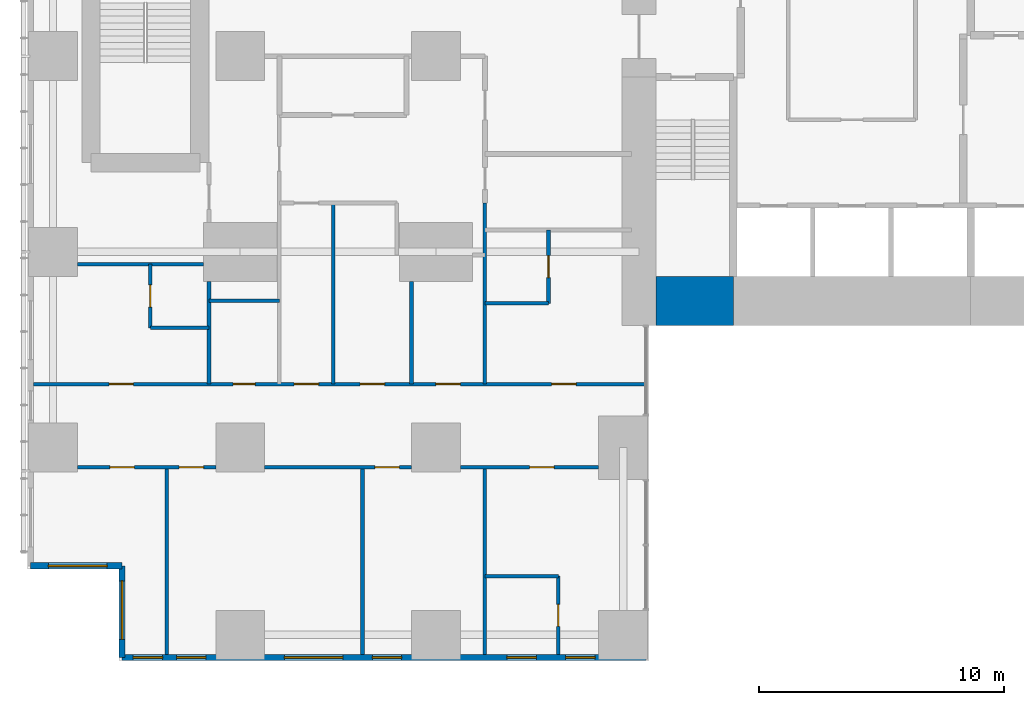
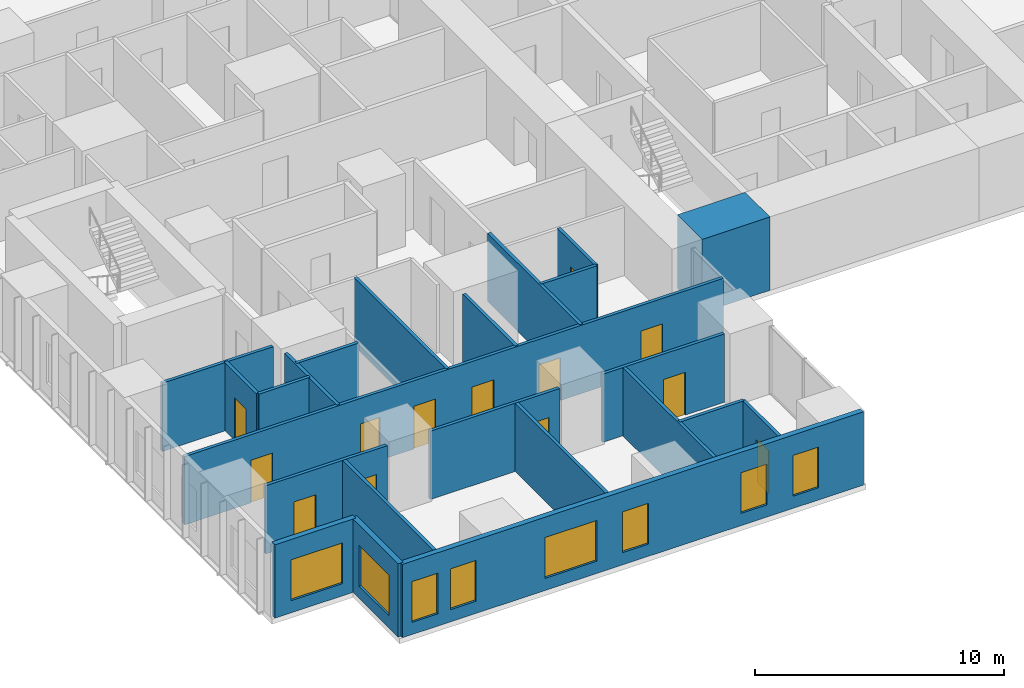
# One storey, part 12 of 20: 23 walls, 13 doors, 8 windows, 21 openings.
"""IFC4 building model written with IfcOpenShell, lengths in metres."""

from ifc_helpers import new_model, si_unit, direction, frame, frame_2d, origin, place, context, subcontext, project, spatial, rectangle, extrude, material, layer, layer_set, type_object, element, fill, save


model = new_model("IFC4")

# Units and contexts
model_context = context("Model", 3, precision=1e-05, world=origin(), true_north=direction((0.0, 1.0)))
body_context = subcontext(model_context, "Body", "Model", "MODEL_VIEW")
ifc_project = project(units=[si_unit("LENGTHUNIT", "METRE"), si_unit("AREAUNIT", "SQUARE_METRE"), si_unit("VOLUMEUNIT", "CUBIC_METRE"), si_unit("PLANEANGLEUNIT", "RADIAN"), si_unit("MASSUNIT", "GRAM", prefix="KILO")], contexts=[model_context])

# Site, building, storey
site_placement = place(None, origin())
site = spatial("IfcSite", under=ifc_project, at=site_placement, CompositionType="ELEMENT")
building_placement = place(site_placement, origin())
building = spatial("IfcBuilding", under=site, at=building_placement, Name="Cleftline Residences", CompositionType="ELEMENT")
storey_placement = place(building_placement, frame((0.0, 0.0, 62.0)))
storey = spatial("IfcBuildingStorey", under=building, at=storey_placement, Name="L15", CompositionType="ELEMENT", Elevation=62.0)

# Wall
ifc_material_1 = material(Name="Concrete B70", Category="concrete")
ifc_layer_1 = layer(ifc_material_1, 2.0)
ifc_layer_set_1 = layer_set([ifc_layer_1], Name="CORE WALL 2000")
wall_type_1 = type_object("IfcWallType", Name="CORE WALL 2000", PredefinedType="SHEAR", material=ifc_layer_set_1)
wall_1_placement = place(storey_placement, frame((25.0, 14.0, 0.0), z_axis=(0.0, 0.0, 1.0), x_axis=(1.0, 0.0, 0.0)))
element("IfcWall", 1, at=wall_1_placement, inside=storey, type_object=wall_type_1, Name="Core wall S1", PredefinedType="SHEAR", context=body_context, shape_type="SweptSolid", body=[
    extrude(rectangle(XDim=3.14990234375, YDim=2.0, at=frame_2d((1.574951171875, 0.0))), origin(), (0.0, 0.0, 1.0), 3.60009765625),
])

# Wall, opening, window
ifc_material_2 = material(Name="Rendered reinforced concrete blockwork", Category="masonry")
ifc_layer_2 = layer(ifc_material_2, 0.25)
ifc_layer_set_2 = layer_set([ifc_layer_2], Name="EXTERNAL WALL 250")
wall_type_2 = type_object("IfcWallType", Name="EXTERNAL WALL 250", PredefinedType="SOLIDWALL", material=ifc_layer_set_2)
wall_2_placement = place(storey_placement, frame((-0.574951171875, 3.175048828125, 0.0), z_axis=(0.0, 0.0, 1.0), x_axis=(1.0, 0.0, 0.0)))
wall_2 = element("IfcWall", 2, at=wall_2_placement, inside=storey, type_object=wall_type_2, Name="External wall", PredefinedType="SOLIDWALL", context=body_context, shape_type="SweptSolid", body=[
    extrude(rectangle(XDim=3.75, YDim=0.25, at=frame_2d((1.875, 0.0))), origin(), (0.0, 0.0, 1.0), 3.60009765625),
])
opening_1_placement = place(wall_2_placement, frame((0.737548828125, 0.0, 0.60009765625)))
opening_1 = element("IfcOpeningElement", 3, at=opening_1_placement, cuts=wall_2, Name="Opening W6", PredefinedType="OPENING", context=body_context, shape_type="SweptSolid", body=[
    extrude(rectangle(XDim=2.39990234375, YDim=2.0, at=frame_2d((1.199951171875, 1.0))), frame((0.0, 0.135009765625, 0.0), z_axis=(0.0, -1.0, 0.0), x_axis=(1.0, 0.0, 0.0)), (0.0, 0.0, 1.0), 0.27001953125),
])
ifc_material_3 = material(Name="Aluminium frame, clear double glazing", Category="aluminium")
window_type_1 = type_object("IfcWindowType", Name="WINDOW 2400X2000", PartitioningType="DOUBLE_PANEL_VERTICAL", PredefinedType="WINDOW", material=ifc_material_3)
window_1_placement = place(opening_1_placement, origin())
window_1 = element("IfcWindow", 4, at=window_1_placement, inside=storey, type_object=window_type_1, Name="Window", OverallHeight=2.0, OverallWidth=2.39990234375, PartitioningType="SINGLE_PANEL", PredefinedType="WINDOW", context=body_context, shape_type="SweptSolid", body=[
    extrude(rectangle(XDim=2.39990234375, YDim=2.0, at=frame_2d((1.199951171875, 1.0))), frame((0.0, 0.030029296875, 0.0), z_axis=(0.0, -1.0, 0.0), x_axis=(1.0, 0.0, 0.0)), (0.0, 0.0, 1.0), 0.06005859375),
])
fill(opening_1, window_1)

wall_3_placement = place(storey_placement, frame((3.175048828125, 3.175048828125, 0.0), z_axis=(0.0, 0.0, 1.0), x_axis=(0.0, -1.0, 0.0)))
wall_3 = element("IfcWall", 5, at=wall_3_placement, inside=storey, type_object=wall_type_2, Name="External wall", PredefinedType="SOLIDWALL", context=body_context, shape_type="SweptSolid", body=[
    extrude(rectangle(XDim=3.75, YDim=0.25, at=frame_2d((1.875, 0.0))), origin(), (0.0, 0.0, 1.0), 3.60009765625),
])
opening_2_placement = place(wall_3_placement, frame((0.612548828125, 0.0, 0.60009765625)))
opening_2 = element("IfcOpeningElement", 6, at=opening_2_placement, cuts=wall_3, Name="Opening W6", PredefinedType="OPENING", context=body_context, shape_type="SweptSolid", body=[
    extrude(rectangle(XDim=2.39990234375, YDim=2.0, at=frame_2d((1.199951171875, 1.0))), frame((0.0, 0.135009765625, 0.0), z_axis=(0.0, -1.0, 0.0), x_axis=(1.0, 0.0, 0.0)), (0.0, 0.0, 1.0), 0.27001953125),
])
window_2_placement = place(opening_2_placement, origin())
window_2 = element("IfcWindow", 7, at=window_2_placement, inside=storey, type_object=window_type_1, Name="Window", OverallHeight=2.0, OverallWidth=2.39990234375, PartitioningType="SINGLE_PANEL", PredefinedType="WINDOW", context=body_context, shape_type="SweptSolid", body=[
    extrude(rectangle(XDim=2.39990234375, YDim=2.0, at=frame_2d((1.199951171875, 1.0))), frame((0.0, 0.030029296875, 0.0), z_axis=(0.0, -1.0, 0.0), x_axis=(1.0, 0.0, 0.0)), (0.0, 0.0, 1.0), 0.06005859375),
])
fill(opening_2, window_2)

# Wall, openings, windows
wall_4_placement = place(storey_placement, frame((3.175048828125, -0.574951171875, 0.0), z_axis=(0.0, 0.0, 1.0), x_axis=(1.0, 0.0, 0.0)))
wall_4 = element("IfcWall", 8, at=wall_4_placement, inside=storey, type_object=wall_type_2, Name="External wall", PredefinedType="SOLIDWALL", context=body_context, shape_type="SweptSolid", body=[
    extrude(rectangle(XDim=21.39990234375, YDim=0.25, at=frame_2d((10.699951171875, 0.0))), origin(), (0.0, 0.0, 1.0), 3.60009765625),
])
opening_3_placement = place(wall_4_placement, frame((0.449951171875, 0.0, 0.60009765625)))
opening_3 = element("IfcOpeningElement", 9, at=opening_3_placement, cuts=wall_4, Name="Opening W8", PredefinedType="OPENING", context=body_context, shape_type="SweptSolid", body=[
    extrude(rectangle(XDim=1.199951171875, YDim=2.0, at=frame_2d((0.60009765625, 1.0))), frame((0.0, 0.135009765625, 0.0), z_axis=(0.0, -1.0, 0.0), x_axis=(1.0, 0.0, 0.0)), (0.0, 0.0, 1.0), 0.27001953125),
])
opening_4_placement = place(wall_4_placement, frame((2.22509765625, 0.0, 0.60009765625)))
opening_4 = element("IfcOpeningElement", 10, at=opening_4_placement, cuts=wall_4, Name="Opening W8", PredefinedType="OPENING", context=body_context, shape_type="SweptSolid", body=[
    extrude(rectangle(XDim=1.199951171875, YDim=2.0, at=frame_2d((0.60009765625, 1.0))), frame((0.0, 0.135009765625, 0.0), z_axis=(0.0, -1.0, 0.0), x_axis=(1.0, 0.0, 0.0)), (0.0, 0.0, 1.0), 0.27001953125),
])
opening_5_placement = place(wall_4_placement, frame((6.625, 0.0, 0.60009765625)))
opening_5 = element("IfcOpeningElement", 11, at=opening_5_placement, cuts=wall_4, Name="Opening W6", PredefinedType="OPENING", context=body_context, shape_type="SweptSolid", body=[
    extrude(rectangle(XDim=2.39990234375, YDim=2.0, at=frame_2d((1.199951171875, 1.0))), frame((0.0, 0.135009765625, 0.0), z_axis=(0.0, -1.0, 0.0), x_axis=(1.0, 0.0, 0.0)), (0.0, 0.0, 1.0), 0.27001953125),
])
opening_6_placement = place(wall_4_placement, frame((10.22509765625, 0.0, 0.60009765625)))
opening_6 = element("IfcOpeningElement", 12, at=opening_6_placement, cuts=wall_4, Name="Opening W8", PredefinedType="OPENING", context=body_context, shape_type="SweptSolid", body=[
    extrude(rectangle(XDim=1.199951171875, YDim=2.0, at=frame_2d((0.60009765625, 1.0))), frame((0.0, 0.135009765625, 0.0), z_axis=(0.0, -1.0, 0.0), x_axis=(1.0, 0.0, 0.0)), (0.0, 0.0, 1.0), 0.27001953125),
])
opening_7_placement = place(wall_4_placement, frame((15.72509765625, 0.0, 0.60009765625)))
opening_7 = element("IfcOpeningElement", 13, at=opening_7_placement, cuts=wall_4, Name="Opening W8", PredefinedType="OPENING", context=body_context, shape_type="SweptSolid", body=[
    extrude(rectangle(XDim=1.199951171875, YDim=2.0, at=frame_2d((0.60009765625, 1.0))), frame((0.0, 0.135009765625, 0.0), z_axis=(0.0, -1.0, 0.0), x_axis=(1.0, 0.0, 0.0)), (0.0, 0.0, 1.0), 0.27001953125),
])
opening_8_placement = place(wall_4_placement, frame((18.125, 0.0, 0.60009765625)))
opening_8 = element("IfcOpeningElement", 14, at=opening_8_placement, cuts=wall_4, Name="Opening W8", PredefinedType="OPENING", context=body_context, shape_type="SweptSolid", body=[
    extrude(rectangle(XDim=1.199951171875, YDim=2.0, at=frame_2d((0.60009765625, 1.0))), frame((0.0, 0.135009765625, 0.0), z_axis=(0.0, -1.0, 0.0), x_axis=(1.0, 0.0, 0.0)), (0.0, 0.0, 1.0), 0.27001953125),
])
ifc_material_4 = material(Name="Aluminium frame, clear double glazing", Category="aluminium")
window_type_2 = type_object("IfcWindowType", Name="WINDOW 1200X2000", PartitioningType="DOUBLE_PANEL_VERTICAL", PredefinedType="WINDOW", material=ifc_material_4)
window_3_placement = place(opening_3_placement, origin())
window_3 = element("IfcWindow", 15, at=window_3_placement, inside=storey, type_object=window_type_2, Name="Window", OverallHeight=2.0, OverallWidth=1.199951171875, PartitioningType="SINGLE_PANEL", PredefinedType="WINDOW", context=body_context, shape_type="SweptSolid", body=[
    extrude(rectangle(XDim=1.199951171875, YDim=2.0, at=frame_2d((0.60009765625, 1.0))), frame((0.0, 0.030029296875, 0.0), z_axis=(0.0, -1.0, 0.0), x_axis=(1.0, 0.0, 0.0)), (0.0, 0.0, 1.0), 0.06005859375),
])
fill(opening_3, window_3)
window_4_placement = place(opening_4_placement, origin())
window_4 = element("IfcWindow", 16, at=window_4_placement, inside=storey, type_object=window_type_2, Name="Window", OverallHeight=2.0, OverallWidth=1.199951171875, PartitioningType="SINGLE_PANEL", PredefinedType="WINDOW", context=body_context, shape_type="SweptSolid", body=[
    extrude(rectangle(XDim=1.199951171875, YDim=2.0, at=frame_2d((0.60009765625, 1.0))), frame((0.0, 0.030029296875, 0.0), z_axis=(0.0, -1.0, 0.0), x_axis=(1.0, 0.0, 0.0)), (0.0, 0.0, 1.0), 0.06005859375),
])
fill(opening_4, window_4)
window_5_placement = place(opening_6_placement, origin())
window_5 = element("IfcWindow", 17, at=window_5_placement, inside=storey, type_object=window_type_2, Name="Window", OverallHeight=2.0, OverallWidth=1.199951171875, PartitioningType="SINGLE_PANEL", PredefinedType="WINDOW", context=body_context, shape_type="SweptSolid", body=[
    extrude(rectangle(XDim=1.199951171875, YDim=2.0, at=frame_2d((0.60009765625, 1.0))), frame((0.0, 0.030029296875, 0.0), z_axis=(0.0, -1.0, 0.0), x_axis=(1.0, 0.0, 0.0)), (0.0, 0.0, 1.0), 0.06005859375),
])
fill(opening_6, window_5)
window_6_placement = place(opening_7_placement, origin())
window_6 = element("IfcWindow", 18, at=window_6_placement, inside=storey, type_object=window_type_2, Name="Window", OverallHeight=2.0, OverallWidth=1.199951171875, PartitioningType="SINGLE_PANEL", PredefinedType="WINDOW", context=body_context, shape_type="SweptSolid", body=[
    extrude(rectangle(XDim=1.199951171875, YDim=2.0, at=frame_2d((0.60009765625, 1.0))), frame((0.0, 0.030029296875, 0.0), z_axis=(0.0, -1.0, 0.0), x_axis=(1.0, 0.0, 0.0)), (0.0, 0.0, 1.0), 0.06005859375),
])
fill(opening_7, window_6)
window_7_placement = place(opening_8_placement, origin())
window_7 = element("IfcWindow", 19, at=window_7_placement, inside=storey, type_object=window_type_2, Name="Window", OverallHeight=2.0, OverallWidth=1.199951171875, PartitioningType="SINGLE_PANEL", PredefinedType="WINDOW", context=body_context, shape_type="SweptSolid", body=[
    extrude(rectangle(XDim=1.199951171875, YDim=2.0, at=frame_2d((0.60009765625, 1.0))), frame((0.0, 0.030029296875, 0.0), z_axis=(0.0, -1.0, 0.0), x_axis=(1.0, 0.0, 0.0)), (0.0, 0.0, 1.0), 0.06005859375),
])
fill(opening_8, window_7)
window_8_placement = place(opening_5_placement, origin())
window_8 = element("IfcWindow", 20, at=window_8_placement, inside=storey, type_object=window_type_1, Name="Window", OverallHeight=2.0, OverallWidth=2.39990234375, PartitioningType="SINGLE_PANEL", PredefinedType="WINDOW", context=body_context, shape_type="SweptSolid", body=[
    extrude(rectangle(XDim=2.39990234375, YDim=2.0, at=frame_2d((1.199951171875, 1.0))), frame((0.0, 0.030029296875, 0.0), z_axis=(0.0, -1.0, 0.0), x_axis=(1.0, 0.0, 0.0)), (0.0, 0.0, 1.0), 0.06005859375),
])
fill(opening_5, window_8)

# Wall
ifc_material_5 = material(Name="Gypsum board on steel studs", Category="steel")
ifc_layer_3 = layer(ifc_material_5, 0.14990234375)
ifc_layer_set_3 = layer_set([ifc_layer_3], Name="PARTITION 150")
wall_type_3 = type_object("IfcWallType", Name="PARTITION 150", PredefinedType="PARTITIONING", material=ifc_layer_set_3)
wall_5_placement = place(storey_placement, frame((18.0, 2.75, 0.0), z_axis=(0.0, 0.0, 1.0), x_axis=(1.0, 0.0, 0.0)))
element("IfcWall", 21, at=wall_5_placement, inside=storey, type_object=wall_type_3, Name="Partition", PredefinedType="PARTITIONING", context=body_context, shape_type="SweptSolid", body=[
    extrude(rectangle(XDim=3.0, YDim=0.14990234375, at=frame_2d((1.5, 0.0))), origin(), (0.0, 0.0, 1.0), 3.35009765625),
])

# Wall, openings, doors
wall_6_placement = place(storey_placement, frame((1.35009765625, 7.199951171875, 0.0), z_axis=(0.0, 0.0, 1.0), x_axis=(1.0, 0.0, 0.0)))
wall_6 = element("IfcWall", 22, at=wall_6_placement, inside=storey, type_object=wall_type_3, Name="Partition", PredefinedType="PARTITIONING", context=body_context, shape_type="SweptSolid", body=[
    extrude(rectangle(XDim=5.64990234375, YDim=0.14990234375, at=frame_2d((2.824951171875, 0.0))), origin(), (0.0, 0.0, 1.0), 3.35009765625),
])
opening_9_placement = place(wall_6_placement, frame((1.324951171875, 0.0, 0.0)))
opening_9 = element("IfcOpeningElement", 23, at=opening_9_placement, cuts=wall_6, Name="Opening D2", PredefinedType="OPENING", context=body_context, shape_type="SweptSolid", body=[
    extrude(rectangle(XDim=1.0, YDim=2.10009765625, at=frame_2d((0.5, 1.050048828125))), frame((0.0, 0.0849609375, 0.0), z_axis=(0.0, -1.0, 0.0), x_axis=(1.0, 0.0, 0.0)), (0.0, 0.0, 1.0), 0.169921875),
])
opening_10_placement = place(wall_6_placement, frame((4.14990234375, 0.0, 0.0)))
opening_10 = element("IfcOpeningElement", 24, at=opening_10_placement, cuts=wall_6, Name="Opening D2", PredefinedType="OPENING", context=body_context, shape_type="SweptSolid", body=[
    extrude(rectangle(XDim=1.0, YDim=2.10009765625, at=frame_2d((0.5, 1.050048828125))), frame((0.0, 0.0849609375, 0.0), z_axis=(0.0, -1.0, 0.0), x_axis=(1.0, 0.0, 0.0)), (0.0, 0.0, 1.0), 0.169921875),
])
ifc_material_6 = material(Name="Timber veneer on solid core", Category="wood")
door_type_1 = type_object("IfcDoorType", Name="DOOR 1000X2100", OperationType="SINGLE_SWING_LEFT", PredefinedType="DOOR", material=ifc_material_6)
door_1_placement = place(opening_9_placement, origin())
door_1 = element("IfcDoor", 25, at=door_1_placement, inside=storey, type_object=door_type_1, Name="Door to winter garden", OperationType="SINGLE_SWING_RIGHT", OverallHeight=2.10009765625, OverallWidth=1.0, PredefinedType="DOOR", context=body_context, shape_type="SweptSolid", body=[
    extrude(rectangle(XDim=1.0, YDim=2.10009765625, at=frame_2d((0.5, 1.050048828125))), frame((0.0, 0.02490234375, 0.0), z_axis=(0.0, -1.0, 0.0), x_axis=(1.0, 0.0, 0.0)), (0.0, 0.0, 1.0), 0.050048828125),
])
fill(opening_9, door_1)
door_2_placement = place(opening_10_placement, origin())
door_2 = element("IfcDoor", 26, at=door_2_placement, inside=storey, type_object=door_type_1, Name="Door to living and dining room", OperationType="SINGLE_SWING_LEFT", OverallHeight=2.10009765625, OverallWidth=1.0, PredefinedType="DOOR", context=body_context, shape_type="SweptSolid", body=[
    extrude(rectangle(XDim=1.0, YDim=2.10009765625, at=frame_2d((0.5, 1.050048828125))), frame((0.0, 0.02490234375, 0.0), z_axis=(0.0, -1.0, 0.0), x_axis=(1.0, 0.0, 0.0)), (0.0, 0.0, 1.0), 0.050048828125),
])
fill(opening_10, door_2)

# Wall, opening, door
wall_7_placement = place(storey_placement, frame((9.0, 7.199951171875, 0.0), z_axis=(0.0, 0.0, 1.0), x_axis=(1.0, 0.0, 0.0)))
wall_7 = element("IfcWall", 27, at=wall_7_placement, inside=storey, type_object=wall_type_3, Name="Partition", PredefinedType="PARTITIONING", context=body_context, shape_type="SweptSolid", body=[
    extrude(rectangle(XDim=6.0, YDim=0.14990234375, at=frame_2d((3.0, 0.0))), origin(), (0.0, 0.0, 1.0), 3.35009765625),
])
opening_11_placement = place(wall_7_placement, frame((4.5, 0.0, 0.0)))
opening_11 = element("IfcOpeningElement", 28, at=opening_11_placement, cuts=wall_7, Name="Opening D2", PredefinedType="OPENING", context=body_context, shape_type="SweptSolid", body=[
    extrude(rectangle(XDim=1.0, YDim=2.10009765625, at=frame_2d((0.5, 1.050048828125))), frame((0.0, 0.0849609375, 0.0), z_axis=(0.0, -1.0, 0.0), x_axis=(1.0, 0.0, 0.0)), (0.0, 0.0, 1.0), 0.169921875),
])
door_3_placement = place(opening_11_placement, origin())
door_3 = element("IfcDoor", 29, at=door_3_placement, inside=storey, type_object=door_type_1, Name="Door to show kitchen", OperationType="SINGLE_SWING_LEFT", OverallHeight=2.10009765625, OverallWidth=1.0, PredefinedType="DOOR", context=body_context, shape_type="SweptSolid", body=[
    extrude(rectangle(XDim=1.0, YDim=2.10009765625, at=frame_2d((0.5, 1.050048828125))), frame((0.0, 0.02490234375, 0.0), z_axis=(0.0, -1.0, 0.0), x_axis=(1.0, 0.0, 0.0)), (0.0, 0.0, 1.0), 0.050048828125),
])
fill(opening_11, door_3)

wall_8_placement = place(storey_placement, frame((17.0, 7.199951171875, 0.0), z_axis=(0.0, 0.0, 1.0), x_axis=(1.0, 0.0, 0.0)))
wall_8 = element("IfcWall", 30, at=wall_8_placement, inside=storey, type_object=wall_type_3, Name="Partition", PredefinedType="PARTITIONING", context=body_context, shape_type="SweptSolid", body=[
    extrude(rectangle(XDim=5.64990234375, YDim=0.14990234375, at=frame_2d((2.824951171875, 0.0))), origin(), (0.0, 0.0, 1.0), 3.35009765625),
])
opening_12_placement = place(wall_8_placement, frame((2.824951171875, 0.0, 0.0)))
opening_12 = element("IfcOpeningElement", 31, at=opening_12_placement, cuts=wall_8, Name="Opening D2", PredefinedType="OPENING", context=body_context, shape_type="SweptSolid", body=[
    extrude(rectangle(XDim=1.0, YDim=2.10009765625, at=frame_2d((0.5, 1.050048828125))), frame((0.0, 0.0849609375, 0.0), z_axis=(0.0, -1.0, 0.0), x_axis=(1.0, 0.0, 0.0)), (0.0, 0.0, 1.0), 0.169921875),
])
door_4_placement = place(opening_12_placement, origin())
door_4 = element("IfcDoor", 32, at=door_4_placement, inside=storey, type_object=door_type_1, Name="Door to master bedroom", OperationType="SINGLE_SWING_LEFT", OverallHeight=2.10009765625, OverallWidth=1.0, PredefinedType="DOOR", context=body_context, shape_type="SweptSolid", body=[
    extrude(rectangle(XDim=1.0, YDim=2.10009765625, at=frame_2d((0.5, 1.050048828125))), frame((0.0, 0.02490234375, 0.0), z_axis=(0.0, -1.0, 0.0), x_axis=(1.0, 0.0, 0.0)), (0.0, 0.0, 1.0), 0.050048828125),
])
fill(opening_12, door_4)

# Wall, openings, doors
wall_9_placement = place(storey_placement, frame((-0.449951171875, 10.60009765625, 0.0), z_axis=(0.0, 0.0, 1.0), x_axis=(1.0, 0.0, 0.0)))
wall_9 = element("IfcWall", 33, at=wall_9_placement, inside=storey, type_object=wall_type_3, Name="Partition", PredefinedType="PARTITIONING", context=body_context, shape_type="SweptSolid", body=[
    extrude(rectangle(XDim=25.010986328125, YDim=0.14990234375, at=frame_2d((12.50537109375, 0.0))), origin(), (0.0, 0.0, 1.0), 3.35009765625),
])
opening_13_placement = place(wall_9_placement, frame((10.64990234375, 0.0, 0.0)))
opening_13 = element("IfcOpeningElement", 34, at=opening_13_placement, cuts=wall_9, Name="Opening D2", PredefinedType="OPENING", context=body_context, shape_type="SweptSolid", body=[
    extrude(rectangle(XDim=1.0, YDim=2.10009765625, at=frame_2d((0.5, 1.050048828125))), frame((0.0, 0.0849609375, 0.0), z_axis=(0.0, -1.0, 0.0), x_axis=(1.0, 0.0, 0.0)), (0.0, 0.0, 1.0), 0.169921875),
])
opening_14_placement = place(wall_9_placement, frame((3.08740234375, 0.0, 0.0)))
opening_14 = element("IfcOpeningElement", 35, at=opening_14_placement, cuts=wall_9, Name="Opening D2", PredefinedType="OPENING", context=body_context, shape_type="SweptSolid", body=[
    extrude(rectangle(XDim=1.0, YDim=2.10009765625, at=frame_2d((0.5, 1.050048828125))), frame((0.0, 0.0849609375, 0.0), z_axis=(0.0, -1.0, 0.0), x_axis=(1.0, 0.0, 0.0)), (0.0, 0.0, 1.0), 0.169921875),
])
opening_15_placement = place(wall_9_placement, frame((8.16259765625, 0.0, 0.0)))
opening_15 = element("IfcOpeningElement", 36, at=opening_15_placement, cuts=wall_9, Name="Opening D1", PredefinedType="OPENING", context=body_context, shape_type="SweptSolid", body=[
    extrude(rectangle(XDim=0.89990234375, YDim=2.10009765625, at=frame_2d((0.449951171875, 1.050048828125))), frame((0.0, 0.0849609375, 0.0), z_axis=(0.0, -1.0, 0.0), x_axis=(1.0, 0.0, 0.0)), (0.0, 0.0, 1.0), 0.169921875),
])
opening_16_placement = place(wall_9_placement, frame((13.35009765625, 0.0, 0.0)))
opening_16 = element("IfcOpeningElement", 37, at=opening_16_placement, cuts=wall_9, Name="Opening D2", PredefinedType="OPENING", context=body_context, shape_type="SweptSolid", body=[
    extrude(rectangle(XDim=1.0, YDim=2.10009765625, at=frame_2d((0.5, 1.050048828125))), frame((0.0, 0.0849609375, 0.0), z_axis=(0.0, -1.0, 0.0), x_axis=(1.0, 0.0, 0.0)), (0.0, 0.0, 1.0), 0.169921875),
])
opening_17_placement = place(wall_9_placement, frame((16.449951171875, 0.0, 0.0)))
opening_17 = element("IfcOpeningElement", 38, at=opening_17_placement, cuts=wall_9, Name="Opening D2", PredefinedType="OPENING", context=body_context, shape_type="SweptSolid", body=[
    extrude(rectangle(XDim=1.0, YDim=2.10009765625, at=frame_2d((0.5, 1.050048828125))), frame((0.0, 0.0849609375, 0.0), z_axis=(0.0, -1.0, 0.0), x_axis=(1.0, 0.0, 0.0)), (0.0, 0.0, 1.0), 0.169921875),
])
opening_18_placement = place(wall_9_placement, frame((21.175048828125, 0.0, 0.0)))
opening_18 = element("IfcOpeningElement", 39, at=opening_18_placement, cuts=wall_9, Name="Opening D2", PredefinedType="OPENING", context=body_context, shape_type="SweptSolid", body=[
    extrude(rectangle(XDim=1.0, YDim=2.10009765625, at=frame_2d((0.5, 1.050048828125))), frame((0.0, 0.0849609375, 0.0), z_axis=(0.0, -1.0, 0.0), x_axis=(1.0, 0.0, 0.0)), (0.0, 0.0, 1.0), 0.169921875),
])
door_5_placement = place(opening_13_placement, origin())
door_5 = element("IfcDoor", 40, at=door_5_placement, inside=storey, type_object=door_type_1, Name="Door to residence hall", OperationType="SINGLE_SWING_RIGHT", OverallHeight=2.10009765625, OverallWidth=1.0, PredefinedType="DOOR", context=body_context, shape_type="SweptSolid", body=[
    extrude(rectangle(XDim=1.0, YDim=2.10009765625, at=frame_2d((0.5, 1.050048828125))), frame((0.0, 0.02490234375, 0.0), z_axis=(0.0, -1.0, 0.0), x_axis=(1.0, 0.0, 0.0)), (0.0, 0.0, 1.0), 0.050048828125),
])
fill(opening_13, door_5)
door_6_placement = place(opening_14_placement, origin())
door_6 = element("IfcDoor", 41, at=door_6_placement, inside=storey, type_object=door_type_1, Name="Door to bedroom 2", OperationType="SINGLE_SWING_RIGHT", OverallHeight=2.10009765625, OverallWidth=1.0, PredefinedType="DOOR", context=body_context, shape_type="SweptSolid", body=[
    extrude(rectangle(XDim=1.0, YDim=2.10009765625, at=frame_2d((0.5, 1.050048828125))), frame((0.0, 0.02490234375, 0.0), z_axis=(0.0, -1.0, 0.0), x_axis=(1.0, 0.0, 0.0)), (0.0, 0.0, 1.0), 0.050048828125),
])
fill(opening_14, door_6)
door_7_placement = place(opening_16_placement, origin())
door_7 = element("IfcDoor", 42, at=door_7_placement, inside=storey, type_object=door_type_1, Name="Door to family room", OperationType="SINGLE_SWING_LEFT", OverallHeight=2.10009765625, OverallWidth=1.0, PredefinedType="DOOR", context=body_context, shape_type="SweptSolid", body=[
    extrude(rectangle(XDim=1.0, YDim=2.10009765625, at=frame_2d((0.5, 1.050048828125))), frame((0.0, 0.02490234375, 0.0), z_axis=(0.0, -1.0, 0.0), x_axis=(1.0, 0.0, 0.0)), (0.0, 0.0, 1.0), 0.050048828125),
])
fill(opening_16, door_7)
door_8_placement = place(opening_17_placement, origin())
door_8 = element("IfcDoor", 43, at=door_8_placement, inside=storey, type_object=door_type_1, Name="Door to wet kitchen", OperationType="SINGLE_SWING_LEFT", OverallHeight=2.10009765625, OverallWidth=1.0, PredefinedType="DOOR", context=body_context, shape_type="SweptSolid", body=[
    extrude(rectangle(XDim=1.0, YDim=2.10009765625, at=frame_2d((0.5, 1.050048828125))), frame((0.0, 0.02490234375, 0.0), z_axis=(0.0, -1.0, 0.0), x_axis=(1.0, 0.0, 0.0)), (0.0, 0.0, 1.0), 0.050048828125),
])
fill(opening_17, door_8)
door_9_placement = place(opening_18_placement, origin())
door_9 = element("IfcDoor", 44, at=door_9_placement, inside=storey, type_object=door_type_1, Name="Door to bedroom 3", OperationType="SINGLE_SWING_LEFT", OverallHeight=2.10009765625, OverallWidth=1.0, PredefinedType="DOOR", context=body_context, shape_type="SweptSolid", body=[
    extrude(rectangle(XDim=1.0, YDim=2.10009765625, at=frame_2d((0.5, 1.050048828125))), frame((0.0, 0.02490234375, 0.0), z_axis=(0.0, -1.0, 0.0), x_axis=(1.0, 0.0, 0.0)), (0.0, 0.0, 1.0), 0.050048828125),
])
fill(opening_18, door_9)
ifc_material_7 = material(Name="Timber veneer on solid core", Category="wood")
door_type_2 = type_object("IfcDoorType", Name="DOOR 900X2100", OperationType="SINGLE_SWING_LEFT", PredefinedType="DOOR", material=ifc_material_7)
door_10_placement = place(opening_15_placement, origin())
door_10 = element("IfcDoor", 45, at=door_10_placement, inside=storey, type_object=door_type_2, Name="Door to linen store", OperationType="SINGLE_SWING_RIGHT", OverallHeight=2.10009765625, OverallWidth=0.89990234375, PredefinedType="DOOR", context=body_context, shape_type="SweptSolid", body=[
    extrude(rectangle(XDim=0.89990234375, YDim=2.10009765625, at=frame_2d((0.449951171875, 1.050048828125))), frame((0.0, 0.02490234375, 0.0), z_axis=(0.0, -1.0, 0.0), x_axis=(1.0, 0.0, 0.0)), (0.0, 0.0, 1.0), 0.050048828125),
])
fill(opening_15, door_10)

# Walls
wall_10_placement = place(storey_placement, frame((4.324951171875, 12.89990234375, 0.0), z_axis=(0.0, 0.0, 1.0), x_axis=(1.0, 0.0, 0.0)))
element("IfcWall", 46, at=wall_10_placement, inside=storey, type_object=wall_type_3, Name="Partition", PredefinedType="PARTITIONING", context=body_context, shape_type="SweptSolid", body=[
    extrude(rectangle(XDim=2.400146484375, YDim=0.14990234375, at=frame_2d((1.2001953125, 0.0))), origin(), (0.0, 0.0, 1.0), 3.35009765625),
])
wall_11_placement = place(storey_placement, frame((18.0, 13.89990234375, 0.0), z_axis=(0.0, 0.0, 1.0), x_axis=(1.0, 0.0, 0.0)))
element("IfcWall", 47, at=wall_11_placement, inside=storey, type_object=wall_type_3, Name="Partition", PredefinedType="PARTITIONING", context=body_context, shape_type="SweptSolid", body=[
    extrude(rectangle(XDim=2.60009765625, YDim=0.14990234375, at=frame_2d((1.300048828125, 0.0))), origin(), (0.0, 0.0, 1.0), 3.35009765625),
])
wall_12_placement = place(storey_placement, frame((6.72509765625, 14.0, 0.0), z_axis=(0.0, 0.0, 1.0), x_axis=(1.0, 0.0, 0.0)))
element("IfcWall", 48, at=wall_12_placement, inside=storey, type_object=wall_type_3, Name="Partition", PredefinedType="PARTITIONING", context=body_context, shape_type="SweptSolid", body=[
    extrude(rectangle(XDim=2.875, YDim=0.14990234375, at=frame_2d((1.4375, 0.0))), origin(), (0.0, 0.0, 1.0), 3.35009765625),
])
wall_13_placement = place(storey_placement, frame((1.35009765625, 15.5, 0.0), z_axis=(0.0, 0.0, 1.0), x_axis=(1.0, 0.0, 0.0)))
element("IfcWall", 49, at=wall_13_placement, inside=storey, type_object=wall_type_3, Name="Partition", PredefinedType="PARTITIONING", context=body_context, shape_type="SweptSolid", body=[
    extrude(rectangle(XDim=5.14990234375, YDim=0.14990234375, at=frame_2d((2.574951171875, 0.0))), origin(), (0.0, 0.0, 1.0), 3.35009765625),
])

# Wall, opening, door
wall_14_placement = place(storey_placement, frame((4.324951171875, 12.89990234375, 0.0), z_axis=(0.0, 0.0, 1.0), x_axis=(0.0, 1.0, 0.0)))
wall_14 = element("IfcWall", 50, at=wall_14_placement, inside=storey, type_object=wall_type_3, Name="Partition", PredefinedType="PARTITIONING", context=body_context, shape_type="SweptSolid", body=[
    extrude(rectangle(XDim=2.60009765625, YDim=0.14990234375, at=frame_2d((1.300048828125, 0.0))), origin(), (0.0, 0.0, 1.0), 3.35009765625),
])
opening_19_placement = place(wall_14_placement, frame((0.85009765625, 0.0, 0.0)))
opening_19 = element("IfcOpeningElement", 51, at=opening_19_placement, cuts=wall_14, Name="Opening D1", PredefinedType="OPENING", context=body_context, shape_type="SweptSolid", body=[
    extrude(rectangle(XDim=0.89990234375, YDim=2.10009765625, at=frame_2d((0.449951171875, 1.050048828125))), frame((0.0, 0.0849609375, 0.0), z_axis=(0.0, -1.0, 0.0), x_axis=(1.0, 0.0, 0.0)), (0.0, 0.0, 1.0), 0.169921875),
])
door_11_placement = place(opening_19_placement, origin())
door_11 = element("IfcDoor", 52, at=door_11_placement, inside=storey, type_object=door_type_2, Name="Door to en-suite bathroom 2", OperationType="SINGLE_SWING_LEFT", OverallHeight=2.10009765625, OverallWidth=0.89990234375, PredefinedType="DOOR", context=body_context, shape_type="SweptSolid", body=[
    extrude(rectangle(XDim=0.89990234375, YDim=2.10009765625, at=frame_2d((0.449951171875, 1.050048828125))), frame((0.0, 0.02490234375, 0.0), z_axis=(0.0, -1.0, 0.0), x_axis=(1.0, 0.0, 0.0)), (0.0, 0.0, 1.0), 0.050048828125),
])
fill(opening_19, door_11)

# Walls
wall_15_placement = place(storey_placement, frame((5.0, -0.449951171875, 0.0), z_axis=(0.0, 0.0, 1.0), x_axis=(0.0, 1.0, 0.0)))
element("IfcWall", 53, at=wall_15_placement, inside=storey, type_object=wall_type_3, Name="Partition", PredefinedType="PARTITIONING", context=body_context, shape_type="SweptSolid", body=[
    extrude(rectangle(XDim=7.64990234375, YDim=0.14990234375, at=frame_2d((3.824951171875, 0.0))), origin(), (0.0, 0.0, 1.0), 3.35009765625),
])
wall_16_placement = place(storey_placement, frame((6.72509765625, 10.60009765625, 0.0), z_axis=(0.0, 0.0, 1.0), x_axis=(0.0, 1.0, 0.0)))
element("IfcWall", 54, at=wall_16_placement, inside=storey, type_object=wall_type_3, Name="Partition", PredefinedType="PARTITIONING", context=body_context, shape_type="SweptSolid", body=[
    extrude(rectangle(XDim=4.199951171875, YDim=0.14990234375, at=frame_2d((2.10009765625, 0.0))), origin(), (0.0, 0.0, 1.0), 3.35009765625),
])
wall_17_placement = place(storey_placement, frame((11.800048828125, 10.60009765625, 0.0), z_axis=(0.0, 0.0, 1.0), x_axis=(0.0, 1.0, 0.0)))
element("IfcWall", 55, at=wall_17_placement, inside=storey, type_object=wall_type_3, Name="Partition", PredefinedType="PARTITIONING", context=body_context, shape_type="SweptSolid", body=[
    extrude(rectangle(XDim=7.39990234375, YDim=0.14990234375, at=frame_2d((3.699951171875, 0.0))), origin(), (0.0, 0.0, 1.0), 3.35009765625),
])
wall_18_placement = place(storey_placement, frame((13.0, -0.449951171875, 0.0), z_axis=(0.0, 0.0, 1.0), x_axis=(0.0, 1.0, 0.0)))
element("IfcWall", 56, at=wall_18_placement, inside=storey, type_object=wall_type_3, Name="Partition", PredefinedType="PARTITIONING", context=body_context, shape_type="SweptSolid", body=[
    extrude(rectangle(XDim=7.64990234375, YDim=0.14990234375, at=frame_2d((3.824951171875, 0.0))), origin(), (0.0, 0.0, 1.0), 3.35009765625),
])
wall_19_placement = place(storey_placement, frame((15.0, 10.60009765625, 0.0), z_axis=(0.0, 0.0, 1.0), x_axis=(0.0, 1.0, 0.0)))
element("IfcWall", 57, at=wall_19_placement, inside=storey, type_object=wall_type_3, Name="Partition", PredefinedType="PARTITIONING", context=body_context, shape_type="SweptSolid", body=[
    extrude(rectangle(XDim=4.199951171875, YDim=0.14990234375, at=frame_2d((2.10009765625, 0.0))), origin(), (0.0, 0.0, 1.0), 3.35009765625),
])
wall_20_placement = place(storey_placement, frame((18.0, -0.449951171875, 0.0), z_axis=(0.0, 0.0, 1.0), x_axis=(0.0, 1.0, 0.0)))
element("IfcWall", 58, at=wall_20_placement, inside=storey, type_object=wall_type_3, Name="Partition", PredefinedType="PARTITIONING", context=body_context, shape_type="SweptSolid", body=[
    extrude(rectangle(XDim=7.64990234375, YDim=0.14990234375, at=frame_2d((3.824951171875, 0.0))), origin(), (0.0, 0.0, 1.0), 3.35009765625),
])
wall_21_placement = place(storey_placement, frame((18.0, 10.60009765625, 0.0), z_axis=(0.0, 0.0, 1.0), x_axis=(0.0, 1.0, 0.0)))
element("IfcWall", 59, at=wall_21_placement, inside=storey, type_object=wall_type_3, Name="Partition", PredefinedType="PARTITIONING", context=body_context, shape_type="SweptSolid", body=[
    extrude(rectangle(XDim=7.39990234375, YDim=0.14990234375, at=frame_2d((3.699951171875, 0.0))), origin(), (0.0, 0.0, 1.0), 3.35009765625),
])

# Wall, opening, door
wall_22_placement = place(storey_placement, frame((20.60009765625, 13.89990234375, 0.0), z_axis=(0.0, 0.0, 1.0), x_axis=(0.0, 1.0, 0.0)))
wall_22 = element("IfcWall", 60, at=wall_22_placement, inside=storey, type_object=wall_type_3, Name="Partition", PredefinedType="PARTITIONING", context=body_context, shape_type="SweptSolid", body=[
    extrude(rectangle(XDim=3.0, YDim=0.14990234375, at=frame_2d((1.5, 0.0))), origin(), (0.0, 0.0, 1.0), 3.35009765625),
])
opening_20_placement = place(wall_22_placement, frame((1.050048828125, 0.0, 0.0)))
opening_20 = element("IfcOpeningElement", 61, at=opening_20_placement, cuts=wall_22, Name="Opening D1", PredefinedType="OPENING", context=body_context, shape_type="SweptSolid", body=[
    extrude(rectangle(XDim=0.89990234375, YDim=2.10009765625, at=frame_2d((0.449951171875, 1.050048828125))), frame((0.0, 0.0849609375, 0.0), z_axis=(0.0, -1.0, 0.0), x_axis=(1.0, 0.0, 0.0)), (0.0, 0.0, 1.0), 0.169921875),
])
door_12_placement = place(opening_20_placement, origin())
door_12 = element("IfcDoor", 62, at=door_12_placement, inside=storey, type_object=door_type_2, Name="Door to en-suite bathroom 3", OperationType="SINGLE_SWING_LEFT", OverallHeight=2.10009765625, OverallWidth=0.89990234375, PredefinedType="DOOR", context=body_context, shape_type="SweptSolid", body=[
    extrude(rectangle(XDim=0.89990234375, YDim=2.10009765625, at=frame_2d((0.449951171875, 1.050048828125))), frame((0.0, 0.02490234375, 0.0), z_axis=(0.0, -1.0, 0.0), x_axis=(1.0, 0.0, 0.0)), (0.0, 0.0, 1.0), 0.050048828125),
])
fill(opening_20, door_12)

wall_23_placement = place(storey_placement, frame((21.0, -0.449951171875, 0.0), z_axis=(0.0, 0.0, 1.0), x_axis=(0.0, 1.0, 0.0)))
wall_23 = element("IfcWall", 63, at=wall_23_placement, inside=storey, type_object=wall_type_3, Name="Partition", PredefinedType="PARTITIONING", context=body_context, shape_type="SweptSolid", body=[
    extrude(rectangle(XDim=3.199951171875, YDim=0.14990234375, at=frame_2d((1.60009765625, 0.0))), origin(), (0.0, 0.0, 1.0), 3.35009765625),
])
opening_21_placement = place(wall_23_placement, frame((1.14990234375, 0.0, 0.0)))
opening_21 = element("IfcOpeningElement", 64, at=opening_21_placement, cuts=wall_23, Name="Opening D1", PredefinedType="OPENING", context=body_context, shape_type="SweptSolid", body=[
    extrude(rectangle(XDim=0.89990234375, YDim=2.10009765625, at=frame_2d((0.449951171875, 1.050048828125))), frame((0.0, 0.0849609375, 0.0), z_axis=(0.0, -1.0, 0.0), x_axis=(1.0, 0.0, 0.0)), (0.0, 0.0, 1.0), 0.169921875),
])
door_13_placement = place(opening_21_placement, origin())
door_13 = element("IfcDoor", 65, at=door_13_placement, inside=storey, type_object=door_type_2, Name="Door to master bathroom", OperationType="SINGLE_SWING_LEFT", OverallHeight=2.10009765625, OverallWidth=0.89990234375, PredefinedType="DOOR", context=body_context, shape_type="SweptSolid", body=[
    extrude(rectangle(XDim=0.89990234375, YDim=2.10009765625, at=frame_2d((0.449951171875, 1.050048828125))), frame((0.0, 0.02490234375, 0.0), z_axis=(0.0, -1.0, 0.0), x_axis=(1.0, 0.0, 0.0)), (0.0, 0.0, 1.0), 0.050048828125),
])
fill(opening_21, door_13)

save(model, "model.ifc")
